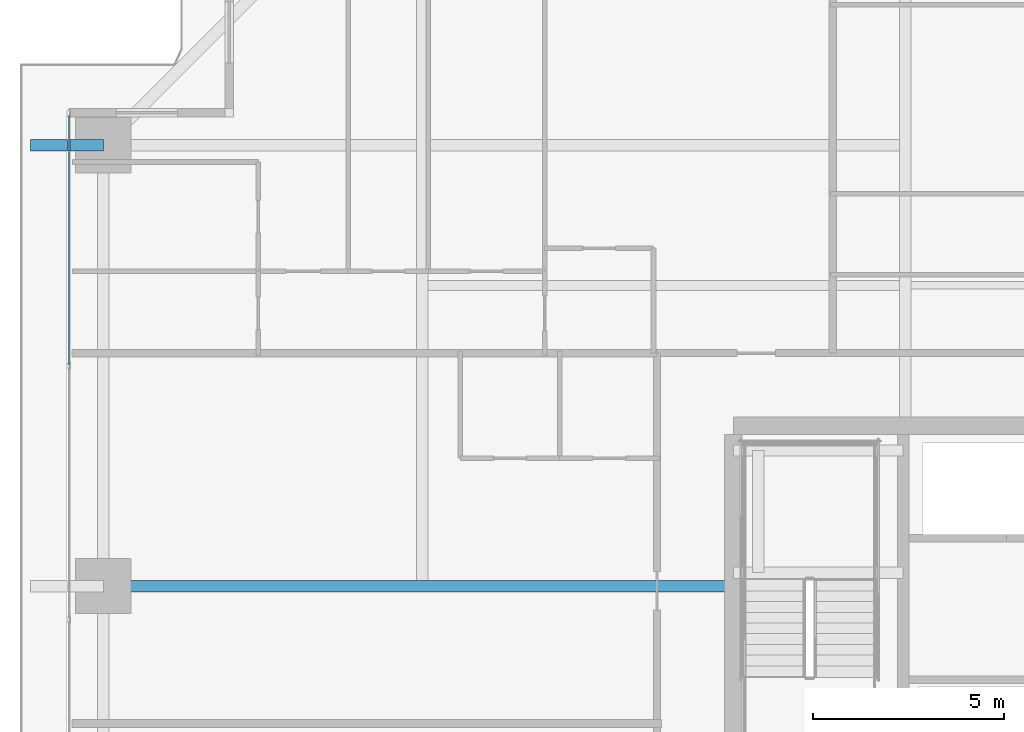
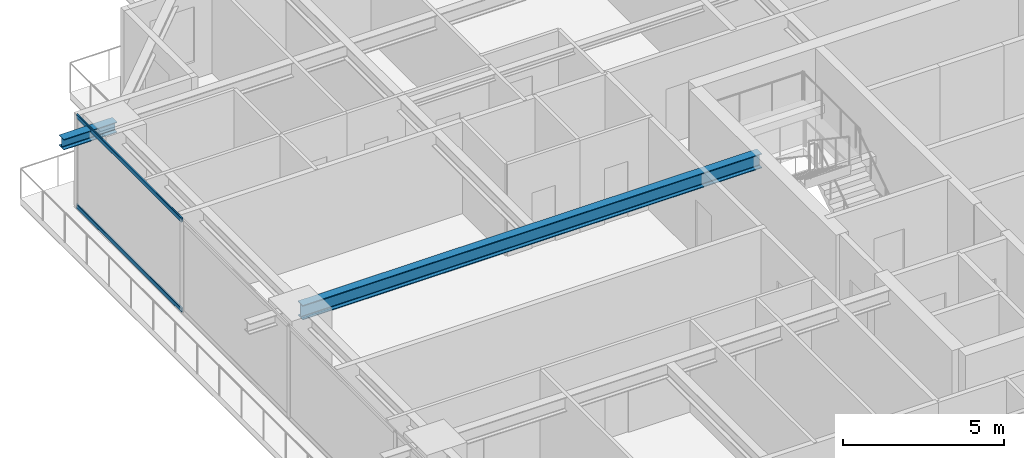
# One storey, part 17 of 39: 2 beams, 2 members, 1 element without a shape of its own.
"""IFC4 building model written with IfcOpenShell, lengths in metres."""

from ifc_helpers import new_model, si_unit, direction, frame, origin, origin_2d, place, context, subcontext, project, spatial, hollow_rectangle, i_section, extrude, source, transform, mapped, material, layer, layer_set, material_profile, profile_set, type_object, element, aggregate, save


model = new_model("IFC4")

# Units and contexts
model_context = context("Model", 3, precision=1e-05, world=origin(), true_north=direction((0.0, 1.0)))
body_context = subcontext(model_context, "Body", "Model", "MODEL_VIEW")
ifc_project = project(units=[si_unit("LENGTHUNIT", "METRE"), si_unit("AREAUNIT", "SQUARE_METRE"), si_unit("VOLUMEUNIT", "CUBIC_METRE"), si_unit("PLANEANGLEUNIT", "RADIAN"), si_unit("MASSUNIT", "GRAM", prefix="KILO")], contexts=[model_context])

# Site, building, storey
site_placement = place(None, origin())
site = spatial("IfcSite", under=ifc_project, at=site_placement, CompositionType="ELEMENT")
building_placement = place(site_placement, origin())
building = spatial("IfcBuilding", under=site, at=building_placement, Name="Serunith Strait Residences", CompositionType="ELEMENT")
storey_placement = place(building_placement, frame((0.0, 0.0, 49.199951171875)))
storey = spatial("IfcBuildingStorey", under=building, at=storey_placement, Name="L11", CompositionType="ELEMENT", Elevation=49.199951171875)

# Beams
ifc_material_1 = material(Name="Steel S355J2", Category="steel")
ifc_material_profile_1 = material_profile(ifc_material_1, i_section(OverallWidth=0.300048828125, OverallDepth=0.550048828125, WebThickness=0.014892578125, FlangeThickness=0.029052734375, FilletRadius=0.027099609375, at=origin_2d()), Name="HEB 550")
ifc_profile_set_1 = profile_set([ifc_material_profile_1], Name="Steel S355J2")
beam_type_1 = type_object("IfcBeamType", Name="BM-HEB550", PredefinedType="BEAM", material=ifc_profile_set_1)
shared_shape_1 = source(origin(), body_context, "Body", "SweptSolid", [
    extrude(i_section(OverallWidth=0.300048828125, OverallDepth=0.550048828125, WebThickness=0.014892578125, FlangeThickness=0.029052734375, FilletRadius=0.027099609375, at=origin_2d()), origin(), (0.0, 0.0, 1.0), 16.5),
])
beam_1_placement = place(storey_placement, frame((23.39990234375, 29.39990234375, 3.212158203125), z_axis=(-1.0, 0.0, 0.0), x_axis=(0.0, -1.0, 0.0)))
element("IfcBeam", 1, at=beam_1_placement, inside=storey, type_object=beam_type_1, Name="L11 Primary Floor Girder TC-W3", PredefinedType="BEAM", context=body_context, shape_type="MappedRepresentation", body=[
    mapped(shared_shape_1, transform((0.0, 0.0, 0.0), scale=1.0)),
])
ifc_material_profile_2 = material_profile(ifc_material_1, i_section(OverallWidth=0.300048828125, OverallDepth=0.39990234375, WebThickness=0.013427734375, FlangeThickness=0.02392578125, FilletRadius=0.027099609375, at=origin_2d()), Name="HEB 400")
ifc_profile_set_2 = profile_set([ifc_material_profile_2], Name="Steel S355J2")
beam_type_2 = type_object("IfcBeamType", Name="BM-HEB400", PredefinedType="BEAM", material=ifc_profile_set_2)
shared_shape_2 = source(origin(), body_context, "Body", "SweptSolid", [
    extrude(i_section(OverallWidth=0.300048828125, OverallDepth=0.39990234375, WebThickness=0.013427734375, FlangeThickness=0.02392578125, FilletRadius=0.027099609375, at=origin_2d()), origin(), (0.0, 0.0, 1.0), 1.909912109375),
])
beam_2_placement = place(storey_placement, frame((6.89990234375, 40.949951171875, 3.257080078125), z_axis=(-1.0, 0.0, 0.0), x_axis=(0.0, -1.0, 0.0)))
element("IfcBeam", 2, at=beam_2_placement, inside=storey, type_object=beam_type_2, Name="L12 Cantilevered Balcony Rib TC-W4", PredefinedType="BEAM", context=body_context, shape_type="MappedRepresentation", body=[
    mapped(shared_shape_2, transform((0.0, 0.0, 0.0), scale=1.0)),
])

# Curtain wall, members
ifc_material_2 = material(Name="Pale-Champagne Anodised Aluminium", Category="aluminium")
ifc_layer = layer(ifc_material_2, 0.199951171875, Name="Pale-Champagne Anodised Aluminium")
ifc_layer_set = layer_set([ifc_layer], Name="Pale-Champagne Anodised Aluminium")
curtain_wall_type = type_object("IfcCurtainWallType", Name="CW-SYS1", PredefinedType="NOTDEFINED", material=ifc_layer_set)
curtain_wall_placement = place(storey_placement, origin())
curtain_wall = element("IfcCurtainWall", 3, at=curtain_wall_placement, inside=storey, type_object=curtain_wall_type, Name="L11 W Unitised Fritted Curtain Wall", PredefinedType="NOTDEFINED")
ifc_material_profile_3 = material_profile(ifc_material_2, hollow_rectangle(XDim=0.06005859375, YDim=0.159912109375, WallThickness=0.00341796875, InnerFilletRadius=0.00537109375, OuterFilletRadius=0.0087890625, at=origin_2d()), Name="ALU 160x60x3.5")
ifc_profile_set_3 = profile_set([ifc_material_profile_3], Name="Pale-Champagne Anodised Aluminium")
member_type = type_object("IfcMemberType", Name="CW-SYS1-TRAN", PredefinedType="USERDEFINED", material=ifc_profile_set_3)
shared_shape_3 = source(origin(), body_context, "Body", "SweptSolid", [
    extrude(hollow_rectangle(XDim=0.06005859375, YDim=0.159912109375, WallThickness=0.00341796875, InnerFilletRadius=0.00537109375, OuterFilletRadius=0.0087890625, at=origin_2d()), origin(), (0.0, 0.0, 1.0), 6.534912109375),
])
member_1_placement = place(storey_placement, frame((6.0, 41.72998046875, 0.030029296875), z_axis=(0.0, -1.0, 0.0), x_axis=(1.0, 0.0, 0.0)))
member_1 = element("IfcMember", 4, at=member_1_placement, type_object=member_type, Name="CW-1 transom 1.1", ObjectType="TRANSOM", PredefinedType="USERDEFINED", context=body_context, shape_type="MappedRepresentation", body=[
    mapped(shared_shape_3, transform((0.0, 0.0, 0.0), scale=1.0)),
])
member_2_placement = place(storey_placement, frame((6.0, 41.72998046875, 3.445068359375), z_axis=(0.0, -1.0, 0.0), x_axis=(1.0, 0.0, 0.0)))
member_2 = element("IfcMember", 5, at=member_2_placement, type_object=member_type, Name="CW-1 transom 1.2", ObjectType="TRANSOM", PredefinedType="USERDEFINED", context=body_context, shape_type="MappedRepresentation", body=[
    mapped(shared_shape_3, transform((0.0, 0.0, 0.0), scale=1.0)),
])
aggregate(curtain_wall, [member_1, member_2])

save(model, "model.ifc")
